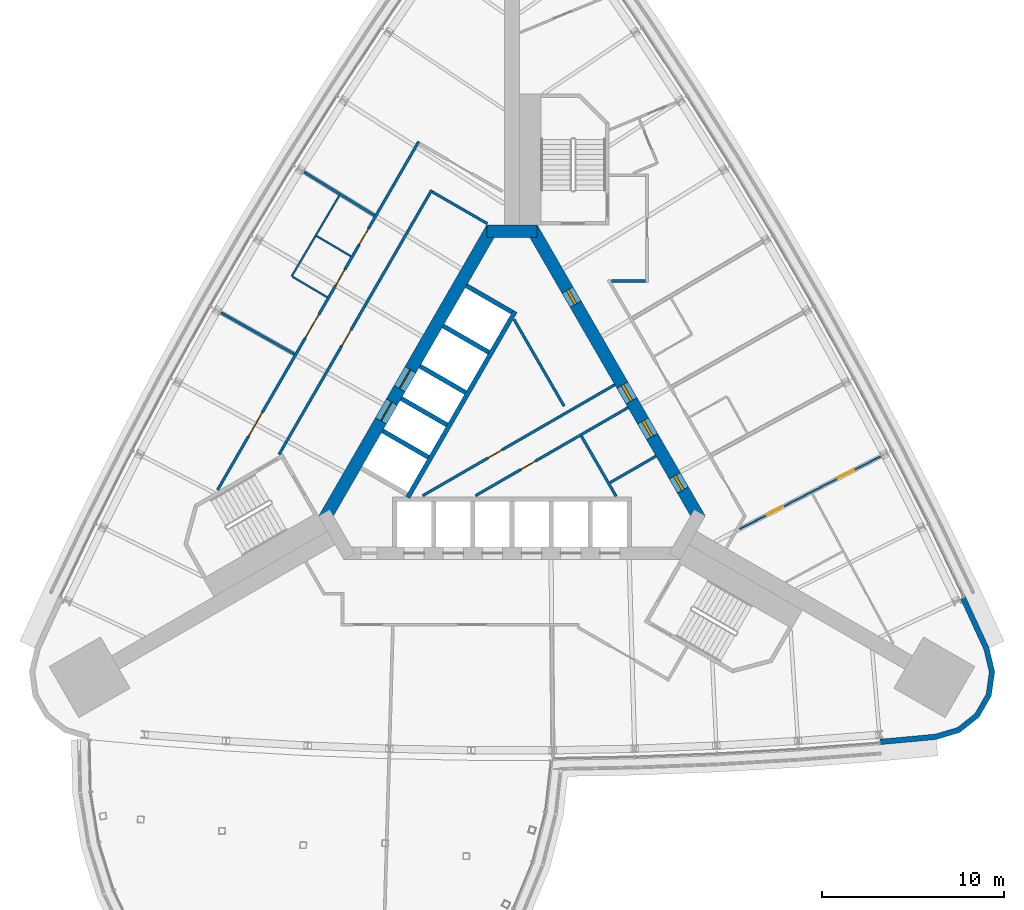
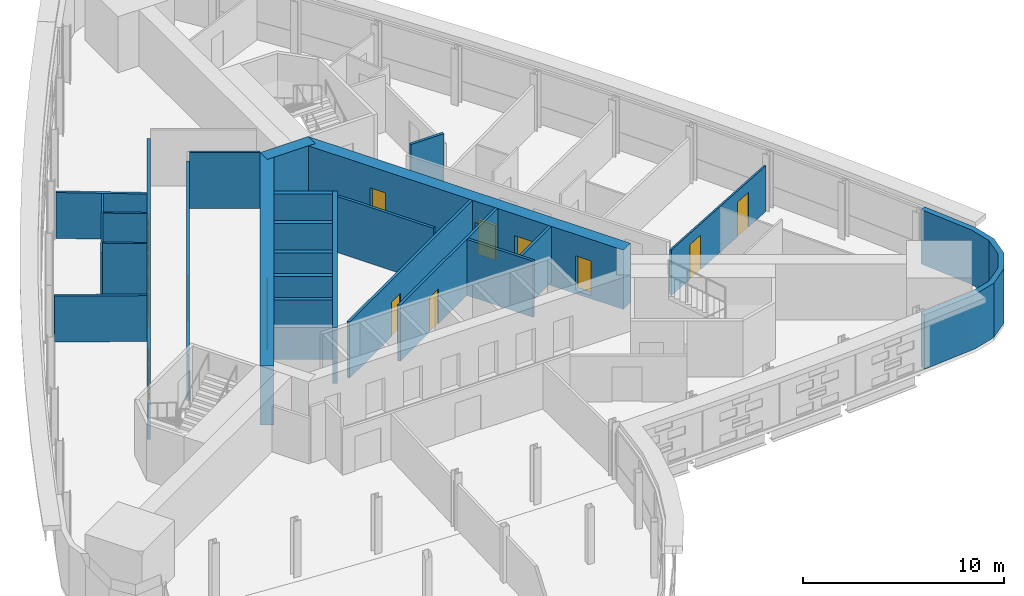
# One storey, part 10 of 15: 25 walls, 15 doors, 15 openings.
"""IFC4 building model written with IfcOpenShell, lengths in metres."""

from ifc_helpers import new_model, si_unit, direction, frame, frame_2d, origin, place, context, subcontext, project, spatial, polyline, rectangle, outline, extrude, material, layer, layer_set, type_object, element, fill, save


model = new_model("IFC4")

# Units and contexts
model_context = context("Model", 3, precision=1e-05, world=origin(), true_north=direction((0.0, 1.0)))
body_context = subcontext(model_context, "Body", "Model", "MODEL_VIEW")
ifc_project = project(units=[si_unit("LENGTHUNIT", "METRE"), si_unit("AREAUNIT", "SQUARE_METRE"), si_unit("VOLUMEUNIT", "CUBIC_METRE"), si_unit("PLANEANGLEUNIT", "RADIAN"), si_unit("MASSUNIT", "GRAM", prefix="KILO")], contexts=[model_context])

# Site, building, storey
site_placement = place(None, origin())
site = spatial("IfcSite", under=ifc_project, at=site_placement, CompositionType="ELEMENT")
building_placement = place(site_placement, origin())
building = spatial("IfcBuilding", under=site, at=building_placement, Name="Noor Cloister Tower", CompositionType="ELEMENT")
storey_placement = place(building_placement, frame((0.0, 0.0, 58.199951171875)))
storey = spatial("IfcBuildingStorey", under=building, at=storey_placement, Name="L14", CompositionType="ELEMENT", Elevation=58.199951171875)

# Wall, opening, door
ifc_material_1 = material(Name="Concrete C30/37", Category="concrete")
ifc_layer_1 = layer(ifc_material_1, 0.14990234375)
ifc_layer_set_1 = layer_set([ifc_layer_1], Name="Core partition 150 C30/37")
wall_type_1 = type_object("IfcWallType", Name="Core partition 150 C30/37", PredefinedType="PARTITIONING", material=ifc_layer_set_1)
wall_1_placement = place(storey_placement, frame((-4.904296875, -3.4130859375, 0.0), z_axis=(0.0, 0.0, 1.0), x_axis=(0.866020716117, 0.500008119189, 0.0)))
wall_1 = element("IfcWall", 1, at=wall_1_placement, inside=storey, type_object=wall_type_1, Name="Core room partition L14 1", PredefinedType="PARTITIONING", context=body_context, shape_type="SweptSolid", body=[
    extrude(rectangle(XDim=12.181884765625, YDim=0.14990234375, at=frame_2d((6.0908203125, 0.0))), origin(), (0.0, 0.0, 1.0), 3.400146484375),
])
opening_1_placement = place(wall_1_placement, frame((4.14208984375, 0.0, 0.0)))
opening_1 = element("IfcOpeningElement", 2, at=opening_1_placement, cuts=wall_1, Name="Opening L14-906", PredefinedType="OPENING", context=body_context, shape_type="SweptSolid", body=[
    extrude(rectangle(XDim=0.89990234375, YDim=2.10009765625, at=frame_2d((0.449951171875, 1.050048828125))), frame((0.0, 0.0849609375, 0.0), z_axis=(0.0, -1.0, 0.0), x_axis=(1.0, 0.0, 0.0)), (0.0, 0.0, 1.0), 0.169921875),
])
ifc_material_2 = material(Name="Steel", Category="steel")
door_type_1 = type_object("IfcDoorType", Name="Core door 900 x 2100 FD120", OperationType="SINGLE_SWING_LEFT", PredefinedType="DOOR", material=ifc_material_2)
door_1_placement = place(opening_1_placement, origin())
door_1 = element("IfcDoor", 3, at=door_1_placement, inside=storey, type_object=door_type_1, Name="Core door 6 L14", OperationType="SINGLE_SWING_RIGHT", OverallHeight=2.10009765625, OverallWidth=0.89990234375, PredefinedType="DOOR", context=body_context, shape_type="SweptSolid", body=[
    extrude(rectangle(XDim=0.89990234375, YDim=2.10009765625, at=frame_2d((0.449951171875, 1.050048828125))), frame((0.0, 0.02490234375, 0.0), z_axis=(0.0, -1.0, 0.0), x_axis=(1.0, 0.0, 0.0)), (0.0, 0.0, 1.0), 0.050048828125),
])
fill(opening_1, door_1)

wall_2_placement = place(storey_placement, frame((-2.00439453125, -3.4130859375, 0.0), z_axis=(0.0, 0.0, 1.0), x_axis=(0.866030034802, 0.499991978756, 0.0)))
wall_2 = element("IfcWall", 4, at=wall_2_placement, inside=storey, type_object=wall_type_1, Name="Core room partition L14 2", PredefinedType="PARTITIONING", context=body_context, shape_type="SweptSolid", body=[
    extrude(rectangle(XDim=9.670654296875, YDim=0.14990234375, at=frame_2d((4.83544921875, 0.0))), origin(), (0.0, 0.0, 1.0), 3.400146484375),
])
opening_2_placement = place(wall_2_placement, frame((2.88623046875, 0.0, 0.0)))
opening_2 = element("IfcOpeningElement", 5, at=opening_2_placement, cuts=wall_2, Name="Opening L14-905", PredefinedType="OPENING", context=body_context, shape_type="SweptSolid", body=[
    extrude(rectangle(XDim=0.89990234375, YDim=2.10009765625, at=frame_2d((0.449951171875, 1.050048828125))), frame((0.0, 0.0849609375, 0.0), z_axis=(0.0, -1.0, 0.0), x_axis=(1.0, 0.0, 0.0)), (0.0, 0.0, 1.0), 0.169921875),
])
ifc_material_3 = material(Name="Steel", Category="steel")
door_type_2 = type_object("IfcDoorType", Name="Core door 900 x 2100 FD60", OperationType="SINGLE_SWING_LEFT", PredefinedType="DOOR", material=ifc_material_3)
door_2_placement = place(opening_2_placement, origin())
door_2 = element("IfcDoor", 6, at=door_2_placement, inside=storey, type_object=door_type_2, Name="Core door 5 L14", OperationType="SINGLE_SWING_LEFT", OverallHeight=2.10009765625, OverallWidth=0.89990234375, PredefinedType="DOOR", context=body_context, shape_type="SweptSolid", body=[
    extrude(rectangle(XDim=0.89990234375, YDim=2.10009765625, at=frame_2d((0.449951171875, 1.050048828125))), frame((0.0, 0.02490234375, 0.0), z_axis=(0.0, -1.0, 0.0), x_axis=(1.0, 0.0, 0.0)), (0.0, 0.0, 1.0), 0.050048828125),
])
fill(opening_2, door_2)

# Walls
wall_3_placement = place(storey_placement, frame((2.860107421875, 1.502685546875, 0.0), z_axis=(0.0, 0.0, 1.0), x_axis=(-0.500014382217, 0.866017100048, 0.0)))
element("IfcWall", 7, at=wall_3_placement, inside=storey, type_object=wall_type_1, Name="Core room partition L14 3", PredefinedType="PARTITIONING", context=body_context, shape_type="SweptSolid", body=[
    extrude(rectangle(XDim=5.501708984375, YDim=0.14990234375, at=frame_2d((2.7509765625, 0.0))), origin(), (0.0, 0.0, 1.0), 3.400146484375),
])
wall_4_placement = place(storey_placement, frame((5.713134765625, -3.439208984375, 0.0), z_axis=(0.0, 0.0, 1.0), x_axis=(-0.499981559197, 0.866036050325, 0.0)))
element("IfcWall", 8, at=wall_4_placement, inside=storey, type_object=wall_type_1, Name="Core room partition L14 4", PredefinedType="PARTITIONING", context=body_context, shape_type="SweptSolid", body=[
    extrude(rectangle(XDim=3.806396484375, YDim=0.14990234375, at=frame_2d((1.9033203125, 0.0))), origin(), (0.0, 0.0, 1.0), 3.400146484375),
])
wall_5_placement = place(storey_placement, frame((5.375, -2.703369140625, 0.0), z_axis=(0.0, 0.0, 1.0), x_axis=(0.866046596414, 0.499963291492, 0.0)))
element("IfcWall", 9, at=wall_5_placement, inside=storey, type_object=wall_type_1, Name="Core room partition L14 5", PredefinedType="PARTITIONING", context=body_context, shape_type="SweptSolid", body=[
    extrude(rectangle(XDim=2.925048828125, YDim=0.14990234375, at=frame_2d((1.46240234375, 0.0))), origin(), (0.0, 0.0, 1.0), 3.400146484375),
])

# Wall, openings, doors
ifc_material_4 = material(Name="Concrete C80/95", Category="concrete")
ifc_layer_2 = layer(ifc_material_4, 0.699951171875)
ifc_layer_set_2 = layer_set([ifc_layer_2], Name="Core wall 700 C80/95")
wall_type_2 = type_object("IfcWallType", Name="Core wall 700 C80/95", PredefinedType="SHEAR", material=ifc_layer_set_2)
wall_6_placement = place(storey_placement, frame((10.311279296875, -4.703125, -0.199951171875), z_axis=(0.0, 0.0, 1.0), x_axis=(-0.500001446645, 0.866024568562, 0.0)))
wall_6 = element("IfcWall", 10, at=wall_6_placement, inside=storey, type_object=wall_type_2, Name="Core wall L14 3", PredefinedType="SHEAR", context=body_context, shape_type="SweptSolid", body=[
    extrude(rectangle(XDim=18.45751953125, YDim=0.699951171875, at=frame_2d((9.228759765625, 0.0))), origin(), (0.0, 0.0, 1.0), 3.60009765625),
])
opening_3_placement = place(wall_6_placement, frame((7.5, 0.0, 0.199951171875)))
opening_3 = element("IfcOpeningElement", 11, at=opening_3_placement, cuts=wall_6, Name="Opening L14-901", PredefinedType="OPENING", context=body_context, shape_type="SweptSolid", body=[
    extrude(rectangle(XDim=1.0, YDim=2.10009765625, at=frame_2d((0.5, 1.050048828125))), frame((0.0, 0.35986328125, 0.0), z_axis=(0.0, -1.0, 0.0), x_axis=(1.0, 0.0, 0.0)), (0.0, 0.0, 1.0), 0.719970703125),
])
opening_4_placement = place(wall_6_placement, frame((1.85205078125, 0.0, 0.199951171875)))
opening_4 = element("IfcOpeningElement", 12, at=opening_4_placement, cuts=wall_6, Name="Opening L14-902", PredefinedType="OPENING", context=body_context, shape_type="SweptSolid", body=[
    extrude(rectangle(XDim=0.89990234375, YDim=2.10009765625, at=frame_2d((0.449951171875, 1.050048828125))), frame((0.0, 0.35986328125, 0.0), z_axis=(0.0, -1.0, 0.0), x_axis=(1.0, 0.0, 0.0)), (0.0, 0.0, 1.0), 0.719970703125),
])
opening_5_placement = place(wall_6_placement, frame((5.237548828125, 0.0, 0.199951171875)))
opening_5 = element("IfcOpeningElement", 13, at=opening_5_placement, cuts=wall_6, Name="Opening L14-903", PredefinedType="OPENING", context=body_context, shape_type="SweptSolid", body=[
    extrude(rectangle(XDim=1.0, YDim=2.10009765625, at=frame_2d((0.5, 1.050048828125))), frame((0.0, 0.35986328125, 0.0), z_axis=(0.0, -1.0, 0.0), x_axis=(1.0, 0.0, 0.0)), (0.0, 0.0, 1.0), 0.719970703125),
])
opening_6_placement = place(wall_6_placement, frame((13.6298828125, 0.0, 0.199951171875)))
opening_6 = element("IfcOpeningElement", 14, at=opening_6_placement, cuts=wall_6, Name="Opening L14-904", PredefinedType="OPENING", context=body_context, shape_type="SweptSolid", body=[
    extrude(rectangle(XDim=0.89990234375, YDim=2.10009765625, at=frame_2d((0.449951171875, 1.050048828125))), frame((0.0, 0.35986328125, 0.0), z_axis=(0.0, -1.0, 0.0), x_axis=(1.0, 0.0, 0.0)), (0.0, 0.0, 1.0), 0.719970703125),
])
ifc_material_5 = material(Name="Steel", Category="steel")
door_type_3 = type_object("IfcDoorType", Name="Core door 1000 x 2100 FD120", OperationType="SINGLE_SWING_LEFT", PredefinedType="DOOR", material=ifc_material_5)
door_3_placement = place(opening_3_placement, origin())
door_3 = element("IfcDoor", 15, at=door_3_placement, inside=storey, type_object=door_type_3, Name="Core door 1 L14", OperationType="SINGLE_SWING_LEFT", OverallHeight=2.10009765625, OverallWidth=1.0, PredefinedType="DOOR", context=body_context, shape_type="SweptSolid", body=[
    extrude(rectangle(XDim=1.0, YDim=2.10009765625, at=frame_2d((0.5, 1.050048828125))), frame((0.0, 0.074951171875, 0.0), z_axis=(0.0, -1.0, 0.0), x_axis=(1.0, 0.0, 0.0)), (0.0, 0.0, 1.0), 0.14990234375),
])
fill(opening_3, door_3)
ifc_material_6 = material(Name="Steel", Category="steel")
door_type_4 = type_object("IfcDoorType", Name="Core door 1000 x 2100 FD60", OperationType="SINGLE_SWING_LEFT", PredefinedType="DOOR", material=ifc_material_6)
door_4_placement = place(opening_5_placement, origin())
door_4 = element("IfcDoor", 16, at=door_4_placement, inside=storey, type_object=door_type_4, Name="Core door 3 L14", OperationType="SINGLE_SWING_LEFT", OverallHeight=2.10009765625, OverallWidth=1.0, PredefinedType="DOOR", context=body_context, shape_type="SweptSolid", body=[
    extrude(rectangle(XDim=1.0, YDim=2.10009765625, at=frame_2d((0.5, 1.050048828125))), frame((0.0, 0.074951171875, 0.0), z_axis=(0.0, -1.0, 0.0), x_axis=(1.0, 0.0, 0.0)), (0.0, 0.0, 1.0), 0.14990234375),
])
fill(opening_5, door_4)
door_5_placement = place(opening_6_placement, origin())
door_5 = element("IfcDoor", 17, at=door_5_placement, inside=storey, type_object=door_type_1, Name="Core door 4 L14", OperationType="SINGLE_SWING_RIGHT", OverallHeight=2.10009765625, OverallWidth=0.89990234375, PredefinedType="DOOR", context=body_context, shape_type="SweptSolid", body=[
    extrude(rectangle(XDim=0.89990234375, YDim=2.10009765625, at=frame_2d((0.449951171875, 1.050048828125))), frame((0.0, 0.074951171875, 0.0), z_axis=(0.0, -1.0, 0.0), x_axis=(1.0, 0.0, 0.0)), (0.0, 0.0, 1.0), 0.14990234375),
])
fill(opening_6, door_5)
door_6_placement = place(opening_4_placement, origin())
door_6 = element("IfcDoor", 18, at=door_6_placement, inside=storey, type_object=door_type_2, Name="Core door 2 L14", OperationType="SINGLE_SWING_RIGHT", OverallHeight=2.10009765625, OverallWidth=0.89990234375, PredefinedType="DOOR", context=body_context, shape_type="SweptSolid", body=[
    extrude(rectangle(XDim=0.89990234375, YDim=2.10009765625, at=frame_2d((0.449951171875, 1.050048828125))), frame((0.0, 0.074951171875, 0.0), z_axis=(0.0, -1.0, 0.0), x_axis=(1.0, 0.0, 0.0)), (0.0, 0.0, 1.0), 0.14990234375),
])
fill(opening_4, door_6)

# Wall
wall_7_placement = place(storey_placement, frame((1.3857421875, 11.1064453125, -0.199951171875), z_axis=(0.0, 0.0, 1.0), x_axis=(-1.0, 0.0, 0.0)))
element("IfcWall", 19, at=wall_7_placement, inside=storey, type_object=wall_type_2, Name="Core wall L14 4", PredefinedType="SHEAR", context=body_context, shape_type="SweptSolid", body=[
    extrude(rectangle(XDim=2.771484375, YDim=0.699951171875, at=frame_2d((1.3857421875, 0.0))), origin(), (0.0, 0.0, 1.0), 3.60009765625),
])

# Wall, openings, doors
wall_8_placement = place(storey_placement, frame((-1.08251953125, 11.281494140625, -0.199951171875), z_axis=(0.0, 0.0, 1.0), x_axis=(-0.500001446645, -0.866024568562, 0.0)))
wall_8 = element("IfcWall", 20, at=wall_8_placement, inside=storey, type_object=wall_type_2, Name="Core wall L14 5", PredefinedType="SHEAR", context=body_context, shape_type="SweptSolid", body=[
    extrude(rectangle(XDim=18.45751953125, YDim=0.699951171875, at=frame_2d((9.228759765625, 0.0))), origin(), (0.0, 0.0, 1.0), 3.60009765625),
])
opening_7_placement = place(wall_8_placement, frame((8.978759765625, 0.0, 0.199951171875)))
opening_7 = element("IfcOpeningElement", 21, at=opening_7_placement, cuts=wall_8, Name="Opening L14-FF1", PredefinedType="OPENING", context=body_context, shape_type="SweptSolid", body=[
    extrude(rectangle(XDim=1.199951171875, YDim=2.10009765625, at=frame_2d((0.60009765625, 1.050048828125))), frame((0.0, 0.35986328125, 0.0), z_axis=(0.0, -1.0, 0.0), x_axis=(1.0, 0.0, 0.0)), (0.0, 0.0, 1.0), 0.719970703125),
])
opening_8_placement = place(wall_8_placement, frame((11.02880859375, 0.0, 0.199951171875)))
opening_8 = element("IfcOpeningElement", 22, at=opening_8_placement, cuts=wall_8, Name="Opening L14-FF2", PredefinedType="OPENING", context=body_context, shape_type="SweptSolid", body=[
    extrude(rectangle(XDim=1.199951171875, YDim=2.10009765625, at=frame_2d((0.60009765625, 1.050048828125))), frame((0.0, 0.35986328125, 0.0), z_axis=(0.0, -1.0, 0.0), x_axis=(1.0, 0.0, 0.0)), (0.0, 0.0, 1.0), 0.719970703125),
])
ifc_material_7 = material(Name="Stainless steel", Category="steel")
door_type_5 = type_object("IfcDoorType", Name="Lift landing door 1200 x 2100", OperationType="DOUBLE_DOOR_SLIDING", PredefinedType="DOOR", material=ifc_material_7)
door_7_placement = place(opening_7_placement, origin())
door_7 = element("IfcDoor", 23, at=door_7_placement, inside=storey, type_object=door_type_5, Name="Landing door FF1 L14", OperationType="DOUBLE_DOOR_SLIDING", OverallHeight=2.10009765625, OverallWidth=1.199951171875, PredefinedType="DOOR", context=body_context, shape_type="SweptSolid", body=[
    extrude(rectangle(XDim=1.199951171875, YDim=2.10009765625, at=frame_2d((0.60009765625, 1.050048828125))), frame((0.0, 0.02490234375, 0.0), z_axis=(0.0, -1.0, 0.0), x_axis=(1.0, 0.0, 0.0)), (0.0, 0.0, 1.0), 0.050048828125),
])
fill(opening_7, door_7)
door_8_placement = place(opening_8_placement, origin())
door_8 = element("IfcDoor", 24, at=door_8_placement, inside=storey, type_object=door_type_5, Name="Landing door FF2 L14", OperationType="DOUBLE_DOOR_SLIDING", OverallHeight=2.10009765625, OverallWidth=1.199951171875, PredefinedType="DOOR", context=body_context, shape_type="SweptSolid", body=[
    extrude(rectangle(XDim=1.199951171875, YDim=2.10009765625, at=frame_2d((0.60009765625, 1.050048828125))), frame((0.0, 0.02490234375, 0.0), z_axis=(0.0, -1.0, 0.0), x_axis=(1.0, 0.0, 0.0)), (0.0, 0.0, 1.0), 0.050048828125),
])
fill(opening_8, door_8)

# Wall, opening, door
ifc_material_8 = material(Name="Fire-rated gypsum board partition on steel studs, 150 mm", Category="steel")
ifc_layer_3 = layer(ifc_material_8, 0.14990234375)
ifc_layer_set_3 = layer_set([ifc_layer_3], Name="Fire lobby wall 150")
wall_type_3 = type_object("IfcWallType", Name="Fire lobby wall 150", PredefinedType="PARTITIONING", material=ifc_layer_set_3)
wall_9_placement = place(storey_placement, frame((-4.40673828125, 13.373779296875, 0.0), z_axis=(0.0, 0.0, 1.0), x_axis=(-0.499997181693, -0.866027030928, 0.0)))
wall_9 = element("IfcWall", 25, at=wall_9_placement, inside=storey, type_object=wall_type_3, Name="Fire lobby wall 150 L14 002", PredefinedType="PARTITIONING", context=body_context, shape_type="SweptSolid", body=[
    extrude(rectangle(XDim=16.76953125, YDim=0.14990234375, at=frame_2d((8.384765625, 0.0))), origin(), (0.0, 0.0, 1.0), 2.778076171875),
])
opening_9_placement = place(wall_9_placement, frame((8.878662109375, 0.0, 0.0)))
opening_9 = element("IfcOpeningElement", 26, at=opening_9_placement, cuts=wall_9, Name="Opening L14-005", PredefinedType="OPENING", context=body_context, shape_type="SweptSolid", body=[
    extrude(rectangle(XDim=1.0, YDim=2.10009765625, at=frame_2d((0.5, 1.050048828125))), frame((0.0, 0.0849609375, 0.0), z_axis=(0.0, -1.0, 0.0), x_axis=(1.0, 0.0, 0.0)), (0.0, 0.0, 1.0), 0.169921875),
])
ifc_material_9 = material(Name="Timber door leaf with steel frame", Category="steel")
door_type_6 = type_object("IfcDoorType", Name="Fire lobby door 1000", OperationType="NOTDEFINED", PredefinedType="DOOR", material=ifc_material_9)
door_9_placement = place(opening_9_placement, origin())
door_9 = element("IfcDoor", 27, at=door_9_placement, inside=storey, type_object=door_type_6, Name="Fire lobby door 1000 L14-005", OperationType="SINGLE_SWING_RIGHT", OverallHeight=2.10009765625, OverallWidth=1.0, PredefinedType="DOOR", context=body_context, shape_type="SweptSolid", body=[
    extrude(rectangle(XDim=1.0, YDim=2.10009765625, at=frame_2d((0.5, 1.050048828125))), frame((0.0, 0.02490234375, 0.0), z_axis=(0.0, -1.0, 0.0), x_axis=(1.0, 0.0, 0.0)), (0.0, 0.0, 1.0), 0.050048828125),
])
fill(opening_9, door_9)

# Wall
wall_10_placement = place(storey_placement, frame((-4.379150390625, 13.271484375, 0.0), z_axis=(0.0, 0.0, 1.0), x_axis=(0.866019471182, -0.500010275428, 0.0)))
element("IfcWall", 28, at=wall_10_placement, inside=storey, type_object=wall_type_3, Name="Fire lobby wall 150 L14 008", PredefinedType="PARTITIONING", context=body_context, shape_type="SweptSolid", body=[
    extrude(rectangle(XDim=3.5, YDim=0.14990234375, at=frame_2d((1.75, 0.0))), origin(), (0.0, 0.0, 1.0), 3.400146484375),
])

# Wall, openings, doors
ifc_material_10 = material(Name="Gypsum board partition on steel studs, 150 mm", Category="steel")
ifc_layer_4 = layer(ifc_material_10, 0.14990234375)
ifc_layer_set_4 = layer_set([ifc_layer_4], Name="Flat wall 150")
wall_type_4 = type_object("IfcWallType", Name="Flat wall 150", PredefinedType="PARTITIONING", material=ifc_layer_set_4)
wall_11_placement = place(storey_placement, frame((-16.1689453125, -3.09912109375, 0.0), z_axis=(0.0, 0.0, 1.0), x_axis=(0.499999805269, 0.866025516212, 0.0)))
wall_11 = element("IfcWall", 29, at=wall_11_placement, inside=storey, type_object=wall_type_4, Name="Flat wall 150 L14 001", PredefinedType="PARTITIONING", context=body_context, shape_type="SweptSolid", body=[
    extrude(rectangle(XDim=22.09716796875, YDim=0.14990234375, at=frame_2d((11.048583984375, 0.0))), origin(), (0.0, 0.0, 1.0), 2.778076171875),
])
opening_10_placement = place(wall_11_placement, frame((15.557861328125, 0.0, 0.0)))
opening_10 = element("IfcOpeningElement", 30, at=opening_10_placement, cuts=wall_11, Name="Opening L14-001", PredefinedType="OPENING", context=body_context, shape_type="SweptSolid", body=[
    extrude(rectangle(XDim=1.0, YDim=2.10009765625, at=frame_2d((0.5, 1.050048828125))), frame((0.0, 0.0849609375, 0.0), z_axis=(0.0, -1.0, 0.0), x_axis=(1.0, 0.0, 0.0)), (0.0, 0.0, 1.0), 0.169921875),
])
opening_11_placement = place(wall_11_placement, frame((12.97607421875, 0.0, 0.0)))
opening_11 = element("IfcOpeningElement", 31, at=opening_11_placement, cuts=wall_11, Name="Opening L14-002", PredefinedType="OPENING", context=body_context, shape_type="SweptSolid", body=[
    extrude(rectangle(XDim=1.0, YDim=2.10009765625, at=frame_2d((0.5, 1.050048828125))), frame((0.0, 0.0849609375, 0.0), z_axis=(0.0, -1.0, 0.0), x_axis=(1.0, 0.0, 0.0)), (0.0, 0.0, 1.0), 0.169921875),
])
opening_12_placement = place(wall_11_placement, frame((9.635498046875, 0.0, 0.0)))
opening_12 = element("IfcOpeningElement", 32, at=opening_12_placement, cuts=wall_11, Name="Opening L14-003", PredefinedType="OPENING", context=body_context, shape_type="SweptSolid", body=[
    extrude(rectangle(XDim=1.5, YDim=2.10009765625, at=frame_2d((0.75, 1.050048828125))), frame((0.0, 0.0849609375, 0.0), z_axis=(0.0, -1.0, 0.0), x_axis=(1.0, 0.0, 0.0)), (0.0, 0.0, 1.0), 0.169921875),
])
opening_13_placement = place(wall_11_placement, frame((3.404296875, 0.0, 0.0)))
opening_13 = element("IfcOpeningElement", 33, at=opening_13_placement, cuts=wall_11, Name="Opening L14-004", PredefinedType="OPENING", context=body_context, shape_type="SweptSolid", body=[
    extrude(rectangle(XDim=1.5, YDim=2.10009765625, at=frame_2d((0.75, 1.050048828125))), frame((0.0, 0.0849609375, 0.0), z_axis=(0.0, -1.0, 0.0), x_axis=(1.0, 0.0, 0.0)), (0.0, 0.0, 1.0), 0.169921875),
])
ifc_material_11 = material(Name="Timber door leaf with steel frame", Category="steel")
door_type_7 = type_object("IfcDoorType", Name="Accessible WC door 1000", OperationType="NOTDEFINED", PredefinedType="DOOR", material=ifc_material_11)
door_10_placement = place(opening_10_placement, origin())
door_10 = element("IfcDoor", 34, at=door_10_placement, inside=storey, type_object=door_type_7, Name="Accessible WC door 1000 L14-001", OperationType="SINGLE_SWING_RIGHT", OverallHeight=2.10009765625, OverallWidth=1.0, PredefinedType="DOOR", context=body_context, shape_type="SweptSolid", body=[
    extrude(rectangle(XDim=1.0, YDim=2.10009765625, at=frame_2d((0.5, 1.050048828125))), frame((0.0, 0.02490234375, 0.0), z_axis=(0.0, -1.0, 0.0), x_axis=(1.0, 0.0, 0.0)), (0.0, 0.0, 1.0), 0.050048828125),
])
fill(opening_10, door_10)
ifc_material_12 = material(Name="Timber door leaf with steel frame", Category="steel")
door_type_8 = type_object("IfcDoorType", Name="Double door 1500 FD60", OperationType="NOTDEFINED", PredefinedType="DOOR", material=ifc_material_12)
door_11_placement = place(opening_12_placement, origin())
door_11 = element("IfcDoor", 35, at=door_11_placement, inside=storey, type_object=door_type_8, Name="Double door 1500 L14-003", OperationType="DOUBLE_DOOR_SINGLE_SWING", OverallHeight=2.10009765625, OverallWidth=1.5, PredefinedType="DOOR", context=body_context, shape_type="SweptSolid", body=[
    extrude(rectangle(XDim=1.5, YDim=2.10009765625, at=frame_2d((0.75, 1.050048828125))), frame((0.0, 0.02490234375, 0.0), z_axis=(0.0, -1.0, 0.0), x_axis=(1.0, 0.0, 0.0)), (0.0, 0.0, 1.0), 0.050048828125),
])
fill(opening_12, door_11)
door_12_placement = place(opening_13_placement, origin())
door_12 = element("IfcDoor", 36, at=door_12_placement, inside=storey, type_object=door_type_8, Name="Double door 1500 L14-004", OperationType="DOUBLE_DOOR_SINGLE_SWING", OverallHeight=2.10009765625, OverallWidth=1.5, PredefinedType="DOOR", context=body_context, shape_type="SweptSolid", body=[
    extrude(rectangle(XDim=1.5, YDim=2.10009765625, at=frame_2d((0.75, 1.050048828125))), frame((0.0, 0.02490234375, 0.0), z_axis=(0.0, -1.0, 0.0), x_axis=(1.0, 0.0, 0.0)), (0.0, 0.0, 1.0), 0.050048828125),
])
fill(opening_13, door_12)
ifc_material_13 = material(Name="Timber door leaf with steel frame", Category="steel")
door_type_9 = type_object("IfcDoorType", Name="Interior door 1000 FD60", OperationType="NOTDEFINED", PredefinedType="DOOR", material=ifc_material_13)
door_13_placement = place(opening_11_placement, origin())
door_13 = element("IfcDoor", 37, at=door_13_placement, inside=storey, type_object=door_type_9, Name="Interior door 1000 L14-002", OperationType="SINGLE_SWING_RIGHT", OverallHeight=2.10009765625, OverallWidth=1.0, PredefinedType="DOOR", context=body_context, shape_type="SweptSolid", body=[
    extrude(rectangle(XDim=1.0, YDim=2.10009765625, at=frame_2d((0.5, 1.050048828125))), frame((0.0, 0.02490234375, 0.0), z_axis=(0.0, -1.0, 0.0), x_axis=(1.0, 0.0, 0.0)), (0.0, 0.0, 1.0), 0.050048828125),
])
fill(opening_11, door_13)

# Walls
wall_12_placement = place(storey_placement, frame((5.4560546875, 8.38134765625, 0.0), z_axis=(0.0, 0.0, 1.0), x_axis=(1.0, 0.0, 0.0)))
element("IfcWall", 38, at=wall_12_placement, inside=storey, type_object=wall_type_4, Name="Flat wall 150 L14 013", PredefinedType="PARTITIONING", context=body_context, shape_type="SweptSolid", body=[
    extrude(rectangle(XDim=1.879638671875, YDim=0.14990234375, at=frame_2d((0.93994140625, 0.0))), origin(), (0.0, 0.0, 1.0), 3.400146484375),
])
wall_13_placement = place(storey_placement, frame((-15.968505859375, 6.630126953125, 0.0), z_axis=(0.0, 0.0, 1.0), x_axis=(0.870757830179, -0.491712112097, 0.0)))
element("IfcWall", 39, at=wall_13_placement, inside=storey, type_object=wall_type_4, Name="Flat wall 150 L14 021", PredefinedType="PARTITIONING", context=body_context, shape_type="SweptSolid", body=[
    extrude(rectangle(XDim=4.615478515625, YDim=0.14990234375, at=frame_2d((2.3076171875, 0.0))), origin(), (0.0, 0.0, 1.0), 2.778076171875),
])
wall_14_placement = place(storey_placement, frame((-11.409912109375, 14.354248046875, 0.0), z_axis=(0.0, 0.0, 1.0), x_axis=(0.851336169767, -0.52462055435, 0.0)))
element("IfcWall", 40, at=wall_14_placement, inside=storey, type_object=wall_type_4, Name="Flat wall 150 L14 022", PredefinedType="PARTITIONING", context=body_context, shape_type="SweptSolid", body=[
    extrude(rectangle(XDim=4.52978515625, YDim=0.14990234375, at=frame_2d((2.264892578125, 0.0))), origin(), (0.0, 0.0, 1.0), 2.778076171875),
])
ifc_material_14 = material(Name="Limestone", Category="masonry")
ifc_layer_5 = layer(ifc_material_14, 0.300048828125)
ifc_layer_set_5 = layer_set([ifc_layer_5], Name="Limestone cladding 300")
wall_type_5 = type_object("IfcWallType", Name="Limestone cladding 300", PredefinedType="NOTDEFINED", material=ifc_layer_set_5)
wall_15_placement = place(storey_placement, origin())
element("IfcWall", 41, at=wall_15_placement, inside=storey, type_object=wall_type_5, Name="Limestone pier cladding L14 2.1", PredefinedType="NOTDEFINED", context=body_context, shape_type="SweptSolid", body=[
    extrude(outline(polyline([(20.22509765625, -17.085205078125), (23.29736328125, -16.80029296875), (24.587890625, -16.417236328125), (25.644775390625, -15.583251953125), (26.31787109375, -14.41748046875), (26.511474609375, -13.085205078125), (26.1982421875, -11.77587890625), (24.908935546875, -8.972900390625), (24.63623046875, -9.09814453125), (25.913330078125, -11.87451171875), (26.206298828125, -13.098876953125), (26.029296875, -14.317138671875), (25.413818359375, -15.383544921875), (24.447265625, -16.14599609375), (23.240234375, -16.50439453125), (20.197265625, -16.78662109375), (20.22509765625, -17.085205078125)])), origin(), (0.0, 0.0, 1.0), 3.300048828125),
])

# Wall, openings, doors
ifc_material_15 = material(Name="Gypsum board partition on steel studs, 100 mm", Category="steel")
ifc_layer_6 = layer(ifc_material_15, 0.10009765625)
ifc_layer_set_6 = layer_set([ifc_layer_6], Name="Partition 100")
wall_type_6 = type_object("IfcWallType", Name="Partition 100", PredefinedType="PARTITIONING", material=ifc_layer_set_6)
wall_16_placement = place(storey_placement, frame((20.228515625, -1.262451171875, 0.0), z_axis=(0.0, 0.0, 1.0), x_axis=(-0.888895553513, -0.458109915789, 0.0)))
wall_16 = element("IfcWall", 42, at=wall_16_placement, inside=storey, type_object=wall_type_6, Name="Partition 100 L14 024", PredefinedType="PARTITIONING", context=body_context, shape_type="SweptSolid", body=[
    extrude(rectangle(XDim=8.693603515625, YDim=0.10009765625, at=frame_2d((4.3466796875, 0.0))), origin(), (0.0, 0.0, 1.0), 2.778076171875),
])
opening_14_placement = place(wall_16_placement, frame((6.000732421875, 0.0, 0.0)))
opening_14 = element("IfcOpeningElement", 43, at=opening_14_placement, cuts=wall_16, Name="Opening L14-015", PredefinedType="OPENING", context=body_context, shape_type="SweptSolid", body=[
    extrude(rectangle(XDim=1.0, YDim=2.10009765625, at=frame_2d((0.5, 1.050048828125))), frame((0.0, 0.06005859375, 0.0), z_axis=(0.0, -1.0, 0.0), x_axis=(1.0, 0.0, 0.0)), (0.0, 0.0, 1.0), 0.1201171875),
])
opening_15_placement = place(wall_16_placement, frame((1.635009765625, 0.0, 0.0)))
opening_15 = element("IfcOpeningElement", 44, at=opening_15_placement, cuts=wall_16, Name="Opening L14-016", PredefinedType="OPENING", context=body_context, shape_type="SweptSolid", body=[
    extrude(rectangle(XDim=1.0, YDim=2.10009765625, at=frame_2d((0.5, 1.050048828125))), frame((0.0, 0.06005859375, 0.0), z_axis=(0.0, -1.0, 0.0), x_axis=(1.0, 0.0, 0.0)), (0.0, 0.0, 1.0), 0.1201171875),
])
ifc_material_16 = material(Name="Timber door leaf with steel frame", Category="steel")
door_type_10 = type_object("IfcDoorType", Name="Interior door 1000", OperationType="NOTDEFINED", PredefinedType="DOOR", material=ifc_material_16)
door_14_placement = place(opening_14_placement, origin())
door_14 = element("IfcDoor", 45, at=door_14_placement, inside=storey, type_object=door_type_10, Name="Interior door 1000 L14-015", OperationType="SINGLE_SWING_RIGHT", OverallHeight=2.10009765625, OverallWidth=1.0, PredefinedType="DOOR", context=body_context, shape_type="SweptSolid", body=[
    extrude(rectangle(XDim=1.0, YDim=2.10009765625, at=frame_2d((0.5, 1.050048828125))), frame((0.0, 0.02490234375, 0.0), z_axis=(0.0, -1.0, 0.0), x_axis=(1.0, 0.0, 0.0)), (0.0, 0.0, 1.0), 0.050048828125),
])
fill(opening_14, door_14)
door_15_placement = place(opening_15_placement, origin())
door_15 = element("IfcDoor", 46, at=door_15_placement, inside=storey, type_object=door_type_10, Name="Interior door 1000 L14-016", OperationType="SINGLE_SWING_LEFT", OverallHeight=2.10009765625, OverallWidth=1.0, PredefinedType="DOOR", context=body_context, shape_type="SweptSolid", body=[
    extrude(rectangle(XDim=1.0, YDim=2.10009765625, at=frame_2d((0.5, 1.050048828125))), frame((0.0, 0.02490234375, 0.0), z_axis=(0.0, -1.0, 0.0), x_axis=(1.0, 0.0, 0.0)), (0.0, 0.0, 1.0), 0.050048828125),
])
fill(opening_15, door_15)

# Walls
wall_17_placement = place(storey_placement, frame((-9.477783203125, 13.074462890625, 0.0), z_axis=(0.0, 0.0, 1.0), x_axis=(-0.508234581351, -0.86121867741, 0.0)))
element("IfcWall", 47, at=wall_17_placement, inside=storey, type_object=wall_type_6, Name="Partition 100 L14 025", PredefinedType="PARTITIONING", context=body_context, shape_type="SweptSolid", body=[
    extrude(rectangle(XDim=5.15478515625, YDim=0.10009765625, at=frame_2d((2.577392578125, 0.0))), origin(), (0.0, 0.0, 1.0), 2.778076171875),
])
wall_18_placement = place(storey_placement, frame((-12.0546875, 8.609619140625, 0.0), z_axis=(0.0, 0.0, 1.0), x_axis=(0.861222482917, -0.508228132749, 0.0)))
element("IfcWall", 48, at=wall_18_placement, inside=storey, type_object=wall_type_6, Name="Partition 100 L14 034", PredefinedType="PARTITIONING", context=body_context, shape_type="SweptSolid", body=[
    extrude(rectangle(XDim=2.216064453125, YDim=0.10009765625, at=frame_2d((1.10791015625, 0.0))), origin(), (0.0, 0.0, 1.0), 3.400146484375),
])
wall_19_placement = place(storey_placement, frame((-10.733154296875, 10.8486328125, 0.0), z_axis=(0.0, 0.0, 1.0), x_axis=(0.861225852057, -0.5082224235, 0.0)))
element("IfcWall", 49, at=wall_19_placement, inside=storey, type_object=wall_type_6, Name="Partition 100 L14 035", PredefinedType="PARTITIONING", context=body_context, shape_type="SweptSolid", body=[
    extrude(rectangle(XDim=2.19091796875, YDim=0.10009765625, at=frame_2d((1.095458984375, 0.0))), origin(), (0.0, 0.0, 1.0), 3.400146484375),
])
ifc_material_17 = material(Name="Concrete C80/95", Category="concrete")
ifc_layer_7 = layer(ifc_material_17, 0.25)
ifc_layer_set_7 = layer_set([ifc_layer_7], Name="Shaft wall 250 C80/95")
wall_type_7 = type_object("IfcWallType", Name="Shaft wall 250 C80/95", PredefinedType="PARTITIONING", material=ifc_layer_set_7)
wall_20_placement = place(storey_placement, frame((-2.50634765625, 8.115478515625, -0.199951171875), z_axis=(0.0, 0.0, 1.0), x_axis=(0.865996321171, -0.50005036918, 0.0)))
element("IfcWall", 50, at=wall_20_placement, inside=storey, type_object=wall_type_7, Name="Lift shaft wall L14 NW 1", PredefinedType="PARTITIONING", context=body_context, shape_type="SweptSolid", body=[
    extrude(rectangle(XDim=2.900146484375, YDim=0.25, at=frame_2d((1.4501953125, 0.0))), origin(), (0.0, 0.0, 1.0), 3.60009765625),
])
for number, where, z_axis, x_axis, name in (
    (51, (-3.78125, 5.906982421875, -0.199951171875), (0.0, 0.0, 1.0), (0.866032775405, -0.499987231761, 0.0), "Lift shaft wall L14 NW 2"),
    (52, (-5.056396484375, 3.69873046875, -0.199951171875), (0.0, 0.0, 1.0), (0.866032775405, -0.499987231761, 0.0), "Lift shaft wall L14 NW 3"),
    (53, (-6.081298828125, 1.92333984375, -0.199951171875), (0.0, 0.0, 1.0), (0.866032775405, -0.499987231761, 0.0), "Lift shaft wall L14 NW 4"),
    (54, (-7.106201171875, 0.14794921875, -0.199951171875), (0.0, 0.0, 1.0), (0.866032775405, -0.499987231761, 0.0), "Lift shaft wall L14 NW 5"),
):
    element("IfcWall", number, at=place(storey_placement, frame(where, z_axis=z_axis, x_axis=x_axis)), inside=storey, type_object=wall_type_7, Name=name, PredefinedType="PARTITIONING", context=body_context, shape_type="SweptSolid", body=[
        extrude(rectangle(XDim=2.89990234375, YDim=0.25, at=frame_2d((1.449951171875, 0.0))), origin(), (0.0, 0.0, 1.0), 3.60009765625),
    ])
wall_21_placement = place(storey_placement, frame((0.176025390625, 6.711181640625, 0.0), z_axis=(0.0, 0.0, 1.0), x_axis=(-0.500004227369, -0.866022963098, 0.0)))
element("IfcWall", 55, at=wall_21_placement, inside=storey, type_object=wall_type_7, Name="Lift shaft back wall L14 NW", PredefinedType="PARTITIONING", context=body_context, shape_type="SweptSolid", body=[
    extrude(rectangle(XDim=11.80029296875, YDim=0.25, at=frame_2d((5.900146484375, 0.0))), origin(), (0.0, 0.0, 1.0), 3.400146484375),
])

save(model, "model.ifc")
